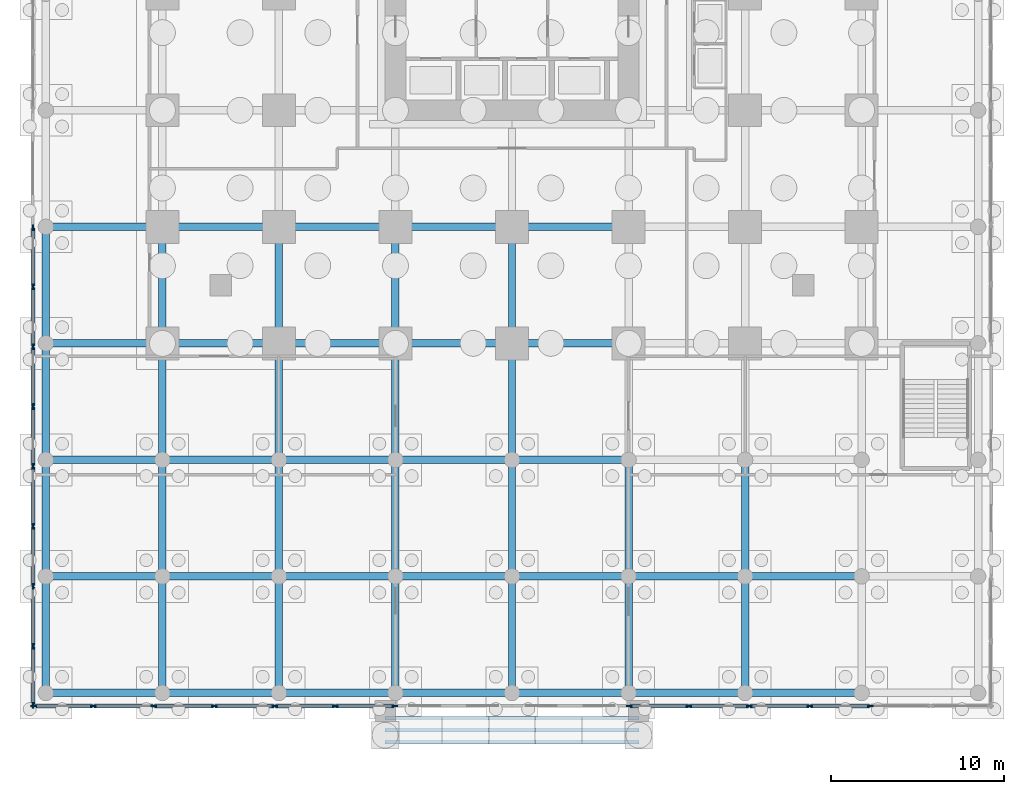
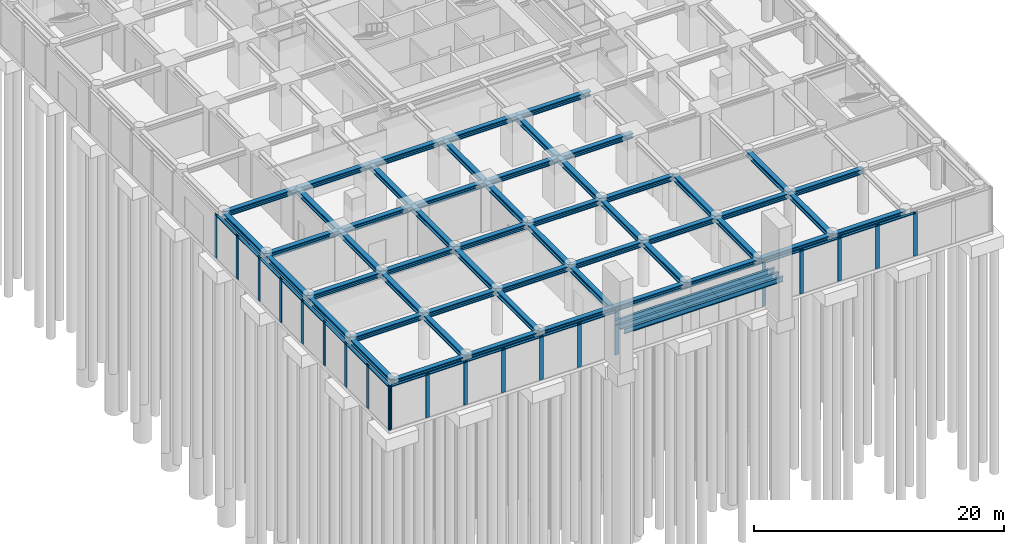
# One storey, part 3 of 14: 56 beams, 39 members, 3 elements without a shape of their own.
"""IFC4 building model written with IfcOpenShell, lengths in metres."""

from ifc_helpers import new_model, si_unit, direction, frame, origin, origin_2d, place, context, subcontext, project, spatial, rectangle, i_section, extrude, material, material_profile, profile_set, type_object, element, aggregate, save


model = new_model("IFC4")

# Units and contexts
model_context = context("Model", 3, precision=1e-05, world=origin(), true_north=direction((0.0, 1.0)))
body_context = subcontext(model_context, "Body", "Model", "MODEL_VIEW")
ifc_project = project(units=[si_unit("LENGTHUNIT", "METRE"), si_unit("AREAUNIT", "SQUARE_METRE"), si_unit("VOLUMEUNIT", "CUBIC_METRE"), si_unit("PLANEANGLEUNIT", "RADIAN"), si_unit("MASSUNIT", "GRAM", prefix="KILO")], contexts=[model_context])

# Site, building, storey
site_placement = place(None, origin())
site = spatial("IfcSite", under=ifc_project, at=site_placement, CompositionType="ELEMENT")
building_placement = place(site_placement, origin())
building = spatial("IfcBuilding", under=site, at=building_placement, Name="Nyansa Garden Tower", CompositionType="ELEMENT")
storey_placement = place(building_placement, origin())
storey = spatial("IfcBuildingStorey", under=building, at=storey_placement, Name="L00", CompositionType="ELEMENT", Elevation=0.0)

# Beams
ifc_material_1 = material(Name="Steel S355, black powder coated", Category="steel")
ifc_material_profile_1 = material_profile(ifc_material_1, i_section(OverallWidth=0.199951171875, OverallDepth=0.5, WebThickness=0.01025390625, FlangeThickness=0.01611328125, FilletRadius=0.02099609375, at=origin_2d()), Name="IPE 500")
ifc_profile_set_1 = profile_set([ifc_material_profile_1], Name="Steel S355, black powder coated")
beam_type_1 = type_object("IfcBeamType", Name="Entrance canopy beam IPE 500", PredefinedType="BEAM", material=ifc_profile_set_1)
for number, where, z_axis, x_axis, name in (
    (1, (12.89990234375, -21.699951171875, 3.75), (1.0, 0.0, 0.0), (0.0, 1.0, 0.0), "Entrance canopy beam 1"),
    (2, (12.89990234375, -22.39990234375, 3.75), (1.0, 0.0, 0.0), (0.0, 1.0, 0.0), "Entrance canopy beam 2"),
    (3, (12.89990234375, -23.10009765625, 3.75), (1.0, 0.0, 0.0), (0.0, 1.0, 0.0), "Entrance canopy beam 3"),
):
    element("IfcBeam", number, at=place(storey_placement, frame(where, z_axis=z_axis, x_axis=x_axis)), inside=storey, type_object=beam_type_1, Name=name, PredefinedType="BEAM", context=body_context, shape_type="SweptSolid", body=[
        extrude(i_section(OverallWidth=0.199951171875, OverallDepth=0.5, WebThickness=0.01025390625, FlangeThickness=0.01611328125, FilletRadius=0.02099609375, at=origin_2d()), origin(), (0.0, 0.0, 1.0), 14.7001953125),
    ])

# Curtain wall, members
ifc_material_2 = material(Name="Black anodised aluminium, clear double glazing", Category="aluminium")
curtain_wall_type = type_object("IfcCurtainWallType", Name="Podium curtain wall PCW", PredefinedType="USERDEFINED", material=ifc_material_2)
curtain_wall_1_placement = place(storey_placement, origin())
curtain_wall_1 = element("IfcCurtainWall", 4, at=curtain_wall_1_placement, inside=storey, type_object=curtain_wall_type, Name="Podium curtain wall L00 W", ObjectType="STICK CURTAIN WALL", PredefinedType="USERDEFINED")
ifc_material_3 = material(Name="Black anodised aluminium", Category="aluminium")
ifc_material_profile_2 = material_profile(ifc_material_3, rectangle(XDim=0.080078125, YDim=0.35009765625, at=origin_2d()), Name="Mullion 350x80")
ifc_profile_set_2 = profile_set([ifc_material_profile_2], Name="Black anodised aluminium")
member_type_1 = type_object("IfcMemberType", Name="Mullion PCW 350x80", PredefinedType="MULLION", material=ifc_profile_set_2)
member_1_placement = place(storey_placement, frame((-7.5, 6.7099609375, 0.0), z_axis=(0.0, 0.0, 1.0), x_axis=(1.0, 0.0, 0.0)))
member_1 = element("IfcMember", 5, at=member_1_placement, type_object=member_type_1, Name="PCW mullion 1", PredefinedType="MULLION", context=body_context, shape_type="SweptSolid", body=[
    extrude(rectangle(XDim=0.080078125, YDim=0.35009765625, at=origin_2d()), origin(), (0.0, 0.0, 1.0), 4.25),
])
member_2_placement = place(storey_placement, frame((-7.5, 3.28125, 0.0), z_axis=(0.0, 0.0, 1.0), x_axis=(1.0, 0.0, 0.0)))
member_2 = element("IfcMember", 6, at=member_2_placement, type_object=member_type_1, Name="PCW mullion 2", PredefinedType="MULLION", context=body_context, shape_type="SweptSolid", body=[
    extrude(rectangle(XDim=0.080078125, YDim=0.35009765625, at=origin_2d()), origin(), (0.0, 0.0, 1.0), 4.25),
])
member_3_placement = place(storey_placement, frame((-7.5, -0.1875, 0.0), z_axis=(0.0, 0.0, 1.0), x_axis=(1.0, 0.0, 0.0)))
member_3 = element("IfcMember", 7, at=member_3_placement, type_object=member_type_1, Name="PCW mullion 3", PredefinedType="MULLION", context=body_context, shape_type="SweptSolid", body=[
    extrude(rectangle(XDim=0.080078125, YDim=0.35009765625, at=origin_2d()), origin(), (0.0, 0.0, 1.0), 4.25),
])
member_4_placement = place(storey_placement, frame((-7.5, -3.65625, 0.0), z_axis=(0.0, 0.0, 1.0), x_axis=(1.0, 0.0, 0.0)))
member_4 = element("IfcMember", 8, at=member_4_placement, type_object=member_type_1, Name="PCW mullion 4", PredefinedType="MULLION", context=body_context, shape_type="SweptSolid", body=[
    extrude(rectangle(XDim=0.080078125, YDim=0.35009765625, at=origin_2d()), origin(), (0.0, 0.0, 1.0), 4.25),
])
member_5_placement = place(storey_placement, frame((-7.5, -7.125, 0.0), z_axis=(0.0, 0.0, 1.0), x_axis=(1.0, 0.0, 0.0)))
member_5 = element("IfcMember", 9, at=member_5_placement, type_object=member_type_1, Name="PCW mullion 5", PredefinedType="MULLION", context=body_context, shape_type="SweptSolid", body=[
    extrude(rectangle(XDim=0.080078125, YDim=0.35009765625, at=origin_2d()), origin(), (0.0, 0.0, 1.0), 4.25),
])
member_6_placement = place(storey_placement, frame((-7.5, -10.59375, 0.0), z_axis=(0.0, 0.0, 1.0), x_axis=(1.0, 0.0, 0.0)))
member_6 = element("IfcMember", 10, at=member_6_placement, type_object=member_type_1, Name="PCW mullion 6", PredefinedType="MULLION", context=body_context, shape_type="SweptSolid", body=[
    extrude(rectangle(XDim=0.080078125, YDim=0.35009765625, at=origin_2d()), origin(), (0.0, 0.0, 1.0), 4.25),
])
member_7_placement = place(storey_placement, frame((-7.5, -14.0625, 0.0), z_axis=(0.0, 0.0, 1.0), x_axis=(1.0, 0.0, 0.0)))
member_7 = element("IfcMember", 11, at=member_7_placement, type_object=member_type_1, Name="PCW mullion 7", PredefinedType="MULLION", context=body_context, shape_type="SweptSolid", body=[
    extrude(rectangle(XDim=0.080078125, YDim=0.35009765625, at=origin_2d()), origin(), (0.0, 0.0, 1.0), 4.25),
])
member_8_placement = place(storey_placement, frame((-7.5, -17.53125, 0.0), z_axis=(0.0, 0.0, 1.0), x_axis=(1.0, 0.0, 0.0)))
member_8 = element("IfcMember", 12, at=member_8_placement, type_object=member_type_1, Name="PCW mullion 8", PredefinedType="MULLION", context=body_context, shape_type="SweptSolid", body=[
    extrude(rectangle(XDim=0.080078125, YDim=0.35009765625, at=origin_2d()), origin(), (0.0, 0.0, 1.0), 4.25),
])
member_9_placement = place(storey_placement, frame((-7.5, -20.9599609375, 0.0), z_axis=(0.0, 0.0, 1.0), x_axis=(1.0, 0.0, 0.0)))
member_9 = element("IfcMember", 13, at=member_9_placement, type_object=member_type_1, Name="PCW mullion 9", PredefinedType="MULLION", context=body_context, shape_type="SweptSolid", body=[
    extrude(rectangle(XDim=0.080078125, YDim=0.35009765625, at=origin_2d()), origin(), (0.0, 0.0, 1.0), 4.25),
])

curtain_wall_2_placement = place(storey_placement, origin())
curtain_wall_2 = element("IfcCurtainWall", 14, at=curtain_wall_2_placement, inside=storey, type_object=curtain_wall_type, Name="Podium curtain wall L00 S", ObjectType="STICK CURTAIN WALL", PredefinedType="USERDEFINED")
member_10_placement = place(storey_placement, frame((-7.4599609375, -21.0, 0.0), z_axis=(0.0, 0.0, 1.0), x_axis=(0.0, 1.0, 0.0)))
member_10 = element("IfcMember", 15, at=member_10_placement, type_object=member_type_1, Name="PCW mullion 1", PredefinedType="MULLION", context=body_context, shape_type="SweptSolid", body=[
    extrude(rectangle(XDim=0.080078125, YDim=0.35009765625, at=origin_2d()), origin(), (0.0, 0.0, 1.0), 4.25),
])
member_11_placement = place(storey_placement, frame((-4.0, -21.0, 0.0), z_axis=(0.0, 0.0, 1.0), x_axis=(0.0, 1.0, 0.0)))
member_11 = element("IfcMember", 16, at=member_11_placement, type_object=member_type_1, Name="PCW mullion 2", PredefinedType="MULLION", context=body_context, shape_type="SweptSolid", body=[
    extrude(rectangle(XDim=0.080078125, YDim=0.35009765625, at=origin_2d()), origin(), (0.0, 0.0, 1.0), 4.25),
])
member_12_placement = place(storey_placement, frame((-0.5, -21.0, 0.0), z_axis=(0.0, 0.0, 1.0), x_axis=(0.0, 1.0, 0.0)))
member_12 = element("IfcMember", 17, at=member_12_placement, type_object=member_type_1, Name="PCW mullion 3", PredefinedType="MULLION", context=body_context, shape_type="SweptSolid", body=[
    extrude(rectangle(XDim=0.080078125, YDim=0.35009765625, at=origin_2d()), origin(), (0.0, 0.0, 1.0), 4.25),
])
member_13_placement = place(storey_placement, frame((3.0, -21.0, 0.0), z_axis=(0.0, 0.0, 1.0), x_axis=(0.0, 1.0, 0.0)))
member_13 = element("IfcMember", 18, at=member_13_placement, type_object=member_type_1, Name="PCW mullion 4", PredefinedType="MULLION", context=body_context, shape_type="SweptSolid", body=[
    extrude(rectangle(XDim=0.080078125, YDim=0.35009765625, at=origin_2d()), origin(), (0.0, 0.0, 1.0), 4.25),
])
member_14_placement = place(storey_placement, frame((6.5, -21.0, 0.0), z_axis=(0.0, 0.0, 1.0), x_axis=(0.0, 1.0, 0.0)))
member_14 = element("IfcMember", 19, at=member_14_placement, type_object=member_type_1, Name="PCW mullion 5", PredefinedType="MULLION", context=body_context, shape_type="SweptSolid", body=[
    extrude(rectangle(XDim=0.080078125, YDim=0.35009765625, at=origin_2d()), origin(), (0.0, 0.0, 1.0), 4.25),
])
member_15_placement = place(storey_placement, frame((10.0, -21.0, 0.0), z_axis=(0.0, 0.0, 1.0), x_axis=(0.0, 1.0, 0.0)))
member_15 = element("IfcMember", 20, at=member_15_placement, type_object=member_type_1, Name="PCW mullion 6", PredefinedType="MULLION", context=body_context, shape_type="SweptSolid", body=[
    extrude(rectangle(XDim=0.080078125, YDim=0.35009765625, at=origin_2d()), origin(), (0.0, 0.0, 1.0), 4.25),
])
member_16_placement = place(storey_placement, frame((13.4599609375, -21.0, 0.0), z_axis=(0.0, 0.0, 1.0), x_axis=(0.0, 1.0, 0.0)))
member_16 = element("IfcMember", 21, at=member_16_placement, type_object=member_type_1, Name="PCW mullion 7", PredefinedType="MULLION", context=body_context, shape_type="SweptSolid", body=[
    extrude(rectangle(XDim=0.080078125, YDim=0.35009765625, at=origin_2d()), origin(), (0.0, 0.0, 1.0), 4.25),
])

curtain_wall_3_placement = place(storey_placement, origin())
curtain_wall_3 = element("IfcCurtainWall", 22, at=curtain_wall_3_placement, inside=storey, type_object=curtain_wall_type, Name="Podium curtain wall L00 S", ObjectType="STICK CURTAIN WALL", PredefinedType="USERDEFINED")
member_17_placement = place(storey_placement, frame((27.0400390625, -21.0, 0.0), z_axis=(0.0, 0.0, 1.0), x_axis=(0.0, 1.0, 0.0)))
member_17 = element("IfcMember", 23, at=member_17_placement, type_object=member_type_1, Name="PCW mullion 1", PredefinedType="MULLION", context=body_context, shape_type="SweptSolid", body=[
    extrude(rectangle(XDim=0.080078125, YDim=0.35009765625, at=origin_2d()), origin(), (0.0, 0.0, 1.0), 4.25),
])
member_18_placement = place(storey_placement, frame((30.5, -21.0, 0.0), z_axis=(0.0, 0.0, 1.0), x_axis=(0.0, 1.0, 0.0)))
member_18 = element("IfcMember", 24, at=member_18_placement, type_object=member_type_1, Name="PCW mullion 2", PredefinedType="MULLION", context=body_context, shape_type="SweptSolid", body=[
    extrude(rectangle(XDim=0.080078125, YDim=0.35009765625, at=origin_2d()), origin(), (0.0, 0.0, 1.0), 4.25),
])
member_19_placement = place(storey_placement, frame((34.0, -21.0, 0.0), z_axis=(0.0, 0.0, 1.0), x_axis=(0.0, 1.0, 0.0)))
member_19 = element("IfcMember", 25, at=member_19_placement, type_object=member_type_1, Name="PCW mullion 3", PredefinedType="MULLION", context=body_context, shape_type="SweptSolid", body=[
    extrude(rectangle(XDim=0.080078125, YDim=0.35009765625, at=origin_2d()), origin(), (0.0, 0.0, 1.0), 4.25),
])
member_20_placement = place(storey_placement, frame((37.5, -21.0, 0.0), z_axis=(0.0, 0.0, 1.0), x_axis=(0.0, 1.0, 0.0)))
member_20 = element("IfcMember", 26, at=member_20_placement, type_object=member_type_1, Name="PCW mullion 4", PredefinedType="MULLION", context=body_context, shape_type="SweptSolid", body=[
    extrude(rectangle(XDim=0.080078125, YDim=0.35009765625, at=origin_2d()), origin(), (0.0, 0.0, 1.0), 4.25),
])
member_21_placement = place(storey_placement, frame((41.0, -21.0, 0.0), z_axis=(0.0, 0.0, 1.0), x_axis=(0.0, 1.0, 0.0)))
member_21 = element("IfcMember", 27, at=member_21_placement, type_object=member_type_1, Name="PCW mullion 5", PredefinedType="MULLION", context=body_context, shape_type="SweptSolid", body=[
    extrude(rectangle(XDim=0.080078125, YDim=0.35009765625, at=origin_2d()), origin(), (0.0, 0.0, 1.0), 4.25),
])

# Beams
ifc_material_4 = material(Name="Steel S355", Category="steel")
ifc_material_profile_3 = material_profile(ifc_material_4, i_section(OverallWidth=0.431884765625, OverallDepth=0.498046875, WebThickness=0.0556640625, FlangeThickness=0.0888671875, FilletRadius=0.014892578125, at=origin_2d()), Name="HD 400x744")
ifc_profile_set_3 = profile_set([ifc_material_profile_3], Name="Steel S355")
beam_type_2 = type_object("IfcBeamType", Name="Steel beam SBP1-744 HD 400x744", PredefinedType="BEAM", material=ifc_profile_set_3)
for number, where, z_axis, x_axis, name in (
    (28, (-6.75, -13.5, 4.0009765625), (1.0, 0.0, 0.0), (0.0, 1.0, 0.0), "Steel beam 1/B-2/B L01"),
    (29, (-6.75, -6.75, 4.0009765625), (1.0, 0.0, 0.0), (0.0, 1.0, 0.0), "Steel beam 1/C-2/C L01"),
    (30, (-6.75, 0.0, 4.0009765625), (1.0, 0.0, 0.0), (0.0, 1.0, 0.0), "Steel beam 1/D-2/D L01"),
    (31, (-6.75, 6.75, 4.0009765625), (1.0, 0.0, 0.0), (0.0, 1.0, 0.0), "Steel beam 1/E-2/E L01"),
    (32, (0.0, -20.25, 4.0009765625), (0.0, 1.0, 0.0), (-1.0, 0.0, 0.0), "Steel beam 2/A-2/B L01"),
    (33, (0.0, -13.5, 4.0009765625), (0.0, 1.0, 0.0), (-1.0, 0.0, 0.0), "Steel beam 2/B-2/C L01"),
    (34, (0.0, -13.5, 4.0009765625), (1.0, 0.0, 0.0), (0.0, 1.0, 0.0), "Steel beam 2/B-3/B L01"),
    (35, (0.0, -6.75, 4.0009765625), (0.0, 1.0, 0.0), (-1.0, 0.0, 0.0), "Steel beam 2/C-2/D L01"),
    (36, (0.0, -6.75, 4.0009765625), (1.0, 0.0, 0.0), (0.0, 1.0, 0.0), "Steel beam 2/C-3/C L01"),
    (37, (0.0, 0.0, 4.0009765625), (0.0, 1.0, 0.0), (-1.0, 0.0, 0.0), "Steel beam 2/D-2/E L01"),
    (38, (0.0, 0.0, 4.0009765625), (1.0, 0.0, 0.0), (0.0, 1.0, 0.0), "Steel beam 2/D-3/D L01"),
    (39, (0.0, 6.75, 4.0009765625), (1.0, 0.0, 0.0), (0.0, 1.0, 0.0), "Steel beam 2/E-3/E L01"),
    (40, (6.75, -20.25, 4.0009765625), (0.0, 1.0, 0.0), (-1.0, 0.0, 0.0), "Steel beam 3/A-3/B L01"),
    (41, (6.75, -13.5, 4.0009765625), (0.0, 1.0, 0.0), (-1.0, 0.0, 0.0), "Steel beam 3/B-3/C L01"),
    (42, (6.75, -13.5, 4.0009765625), (1.0, 0.0, 0.0), (0.0, 1.0, 0.0), "Steel beam 3/B-4/B L01"),
    (43, (6.75, -6.75, 4.0009765625), (0.0, 1.0, 0.0), (-1.0, 0.0, 0.0), "Steel beam 3/C-3/D L01"),
    (44, (6.75, -6.75, 4.0009765625), (1.0, 0.0, 0.0), (0.0, 1.0, 0.0), "Steel beam 3/C-4/C L01"),
    (45, (6.75, 0.0, 4.0009765625), (0.0, 1.0, 0.0), (-1.0, 0.0, 0.0), "Steel beam 3/D-3/E L01"),
    (46, (6.75, 0.0, 4.0009765625), (1.0, 0.0, 0.0), (0.0, 1.0, 0.0), "Steel beam 3/D-4/D L01"),
    (47, (6.75, 6.75, 4.0009765625), (1.0, 0.0, 0.0), (0.0, 1.0, 0.0), "Steel beam 3/E-4/E L01"),
    (48, (13.5, -20.25, 4.0009765625), (0.0, 1.0, 0.0), (-1.0, 0.0, 0.0), "Steel beam 4/A-4/B L01"),
    (49, (13.5, -13.5, 4.0009765625), (0.0, 1.0, 0.0), (-1.0, 0.0, 0.0), "Steel beam 4/B-4/C L01"),
    (50, (13.5, -13.5, 4.0009765625), (1.0, 0.0, 0.0), (0.0, 1.0, 0.0), "Steel beam 4/B-5/B L01"),
    (51, (13.5, -6.75, 4.0009765625), (0.0, 1.0, 0.0), (-1.0, 0.0, 0.0), "Steel beam 4/C-4/D L01"),
    (52, (13.5, -6.75, 4.0009765625), (1.0, 0.0, 0.0), (0.0, 1.0, 0.0), "Steel beam 4/C-5/C L01"),
    (53, (13.5, 0.0, 4.0009765625), (0.0, 1.0, 0.0), (-1.0, 0.0, 0.0), "Steel beam 4/D-4/E L01"),
    (54, (13.5, 0.0, 4.0009765625), (1.0, 0.0, 0.0), (0.0, 1.0, 0.0), "Steel beam 4/D-5/D L01"),
    (55, (13.5, 6.75, 4.0009765625), (1.0, 0.0, 0.0), (0.0, 1.0, 0.0), "Steel beam 4/E-5/E L01"),
    (56, (20.25, -20.25, 4.0009765625), (0.0, 1.0, 0.0), (-1.0, 0.0, 0.0), "Steel beam 5/A-5/B L01"),
    (57, (20.25, -13.5, 4.0009765625), (0.0, 1.0, 0.0), (-1.0, 0.0, 0.0), "Steel beam 5/B-5/C L01"),
    (58, (20.25, -13.5, 4.0009765625), (1.0, 0.0, 0.0), (0.0, 1.0, 0.0), "Steel beam 5/B-6/B L01"),
    (59, (20.25, -6.75, 4.0009765625), (0.0, 1.0, 0.0), (-1.0, 0.0, 0.0), "Steel beam 5/C-5/D L01"),
    (60, (20.25, -6.75, 4.0009765625), (1.0, 0.0, 0.0), (0.0, 1.0, 0.0), "Steel beam 5/C-6/C L01"),
    (61, (20.25, 0.0, 4.0009765625), (0.0, 1.0, 0.0), (-1.0, 0.0, 0.0), "Steel beam 5/D-5/E L01"),
    (62, (20.25, 0.0, 4.0009765625), (1.0, 0.0, 0.0), (0.0, 1.0, 0.0), "Steel beam 5/D-6/D L01"),
    (63, (20.25, 6.75, 4.0009765625), (1.0, 0.0, 0.0), (0.0, 1.0, 0.0), "Steel beam 5/E-6/E L01"),
    (64, (27.0, -20.25, 4.0009765625), (0.0, 1.0, 0.0), (-1.0, 0.0, 0.0), "Steel beam 6/A-6/B L01"),
    (65, (27.0, -13.5, 4.0009765625), (0.0, 1.0, 0.0), (-1.0, 0.0, 0.0), "Steel beam 6/B-6/C L01"),
    (66, (27.0, -13.5, 4.0009765625), (1.0, 0.0, 0.0), (0.0, 1.0, 0.0), "Steel beam 6/B-7/B L01"),
    (67, (33.75, -20.25, 4.0009765625), (0.0, 1.0, 0.0), (-1.0, 0.0, 0.0), "Steel beam 7/A-7/B L01"),
    (68, (33.75, -13.5, 4.0009765625), (0.0, 1.0, 0.0), (-1.0, 0.0, 0.0), "Steel beam 7/B-7/C L01"),
    (69, (33.75, -13.5, 4.0009765625), (1.0, 0.0, 0.0), (0.0, 1.0, 0.0), "Steel beam 7/B-8/B L01"),
):
    element("IfcBeam", number, at=place(storey_placement, frame(where, z_axis=z_axis, x_axis=x_axis)), inside=storey, type_object=beam_type_2, Name=name, PredefinedType="BEAM", context=body_context, shape_type="SweptSolid", body=[
        extrude(i_section(OverallWidth=0.431884765625, OverallDepth=0.498046875, WebThickness=0.0556640625, FlangeThickness=0.0888671875, FilletRadius=0.014892578125, at=origin_2d()), origin(), (0.0, 0.0, 1.0), 6.75),
    ])
ifc_material_5 = material(Name="Steel S355", Category="steel")
ifc_material_profile_4 = material_profile(ifc_material_5, i_section(OverallWidth=0.431884765625, OverallDepth=0.498046875, WebThickness=0.0556640625, FlangeThickness=0.0888671875, FilletRadius=0.014892578125, at=origin_2d()), Name="HD 400x744")
ifc_profile_set_4 = profile_set([ifc_material_profile_4], Name="Steel S355")
beam_type_3 = type_object("IfcBeamType", Name="Steel beam SEBP-744 HD 400x744", PredefinedType="BEAM", material=ifc_profile_set_4)
for number, where, z_axis, x_axis, name in (
    (70, (-6.75, -20.25, 4.0009765625), (0.0, 1.0, 0.0), (-1.0, 0.0, 0.0), "Steel edge beam 1/A-1/B L01"),
    (71, (-6.75, -20.25, 4.0009765625), (1.0, 0.0, 0.0), (0.0, 1.0, 0.0), "Steel edge beam 1/A-2/A L01"),
    (72, (-6.75, -13.5, 4.0009765625), (0.0, 1.0, 0.0), (-1.0, 0.0, 0.0), "Steel edge beam 1/B-1/C L01"),
    (73, (-6.75, -6.75, 4.0009765625), (0.0, 1.0, 0.0), (-1.0, 0.0, 0.0), "Steel edge beam 1/C-1/D L01"),
    (74, (-6.75, 0.0, 4.0009765625), (0.0, 1.0, 0.0), (-1.0, 0.0, 0.0), "Steel edge beam 1/D-1/E L01"),
    (75, (0.0, -20.25, 4.0009765625), (1.0, 0.0, 0.0), (0.0, 1.0, 0.0), "Steel edge beam 2/A-3/A L01"),
    (76, (6.75, -20.25, 4.0009765625), (1.0, 0.0, 0.0), (0.0, 1.0, 0.0), "Steel edge beam 3/A-4/A L01"),
    (77, (13.5, -20.25, 4.0009765625), (1.0, 0.0, 0.0), (0.0, 1.0, 0.0), "Steel edge beam 4/A-5/A L01"),
    (78, (20.25, -20.25, 4.0009765625), (1.0, 0.0, 0.0), (0.0, 1.0, 0.0), "Steel edge beam 5/A-6/A L01"),
    (79, (27.0, -20.25, 4.0009765625), (1.0, 0.0, 0.0), (0.0, 1.0, 0.0), "Steel edge beam 6/A-7/A L01"),
    (80, (33.75, -20.25, 4.0009765625), (1.0, 0.0, 0.0), (0.0, 1.0, 0.0), "Steel edge beam 7/A-8/A L01"),
):
    element("IfcBeam", number, at=place(storey_placement, frame(where, z_axis=z_axis, x_axis=x_axis)), inside=storey, type_object=beam_type_3, Name=name, PredefinedType="BEAM", context=body_context, shape_type="SweptSolid", body=[
        extrude(i_section(OverallWidth=0.431884765625, OverallDepth=0.498046875, WebThickness=0.0556640625, FlangeThickness=0.0888671875, FilletRadius=0.014892578125, at=origin_2d()), origin(), (0.0, 0.0, 1.0), 6.75),
    ])

# Member
ifc_material_6 = material(Name="Black anodised aluminium", Category="aluminium")
ifc_material_profile_5 = material_profile(ifc_material_6, rectangle(XDim=0.219970703125, YDim=0.080078125, at=origin_2d()), Name="Transom 220x80")
ifc_profile_set_5 = profile_set([ifc_material_profile_5], Name="Black anodised aluminium")
member_type_2 = type_object("IfcMemberType", Name="Transom PCW 220x80", PredefinedType="USERDEFINED", material=ifc_profile_set_5)
member_22_placement = place(storey_placement, frame((-7.5, 6.669921875, 4.2099609375), z_axis=(0.0, -1.0, 0.0), x_axis=(1.0, 0.0, 0.0)))
member_22 = element("IfcMember", 81, at=member_22_placement, type_object=member_type_2, Name="PCW transom 1", ObjectType="TRANSOM", PredefinedType="USERDEFINED", context=body_context, shape_type="SweptSolid", body=[
    extrude(rectangle(XDim=0.219970703125, YDim=0.080078125, at=origin_2d()), origin(), (0.0, 0.0, 1.0), 3.3486328125),
])

member_23_placement = place(storey_placement, frame((-7.5, 3.2412109375, 4.2099609375), z_axis=(0.0, -1.0, 0.0), x_axis=(1.0, 0.0, 0.0)))
member_23 = element("IfcMember", 82, at=member_23_placement, type_object=member_type_2, Name="PCW transom 2", ObjectType="TRANSOM", PredefinedType="USERDEFINED", context=body_context, shape_type="SweptSolid", body=[
    extrude(rectangle(XDim=0.219970703125, YDim=0.080078125, at=origin_2d()), origin(), (0.0, 0.0, 1.0), 3.388671875),
])

member_24_placement = place(storey_placement, frame((-7.5, -0.2275390625, 4.2099609375), z_axis=(0.0, -1.0, 0.0), x_axis=(1.0, 0.0, 0.0)))
member_24 = element("IfcMember", 83, at=member_24_placement, type_object=member_type_2, Name="PCW transom 3", ObjectType="TRANSOM", PredefinedType="USERDEFINED", context=body_context, shape_type="SweptSolid", body=[
    extrude(rectangle(XDim=0.219970703125, YDim=0.080078125, at=origin_2d()), origin(), (0.0, 0.0, 1.0), 3.388671875),
])

member_25_placement = place(storey_placement, frame((-7.5, -3.6962890625, 4.2099609375), z_axis=(0.0, -1.0, 0.0), x_axis=(1.0, 0.0, 0.0)))
member_25 = element("IfcMember", 84, at=member_25_placement, type_object=member_type_2, Name="PCW transom 4", ObjectType="TRANSOM", PredefinedType="USERDEFINED", context=body_context, shape_type="SweptSolid", body=[
    extrude(rectangle(XDim=0.219970703125, YDim=0.080078125, at=origin_2d()), origin(), (0.0, 0.0, 1.0), 3.388671875),
])

member_26_placement = place(storey_placement, frame((-7.5, -7.1650390625, 4.2099609375), z_axis=(0.0, -1.0, 0.0), x_axis=(1.0, 0.0, 0.0)))
member_26 = element("IfcMember", 85, at=member_26_placement, type_object=member_type_2, Name="PCW transom 5", ObjectType="TRANSOM", PredefinedType="USERDEFINED", context=body_context, shape_type="SweptSolid", body=[
    extrude(rectangle(XDim=0.219970703125, YDim=0.080078125, at=origin_2d()), origin(), (0.0, 0.0, 1.0), 3.388671875),
])

member_27_placement = place(storey_placement, frame((-7.5, -10.6337890625, 4.2099609375), z_axis=(0.0, -1.0, 0.0), x_axis=(1.0, 0.0, 0.0)))
member_27 = element("IfcMember", 86, at=member_27_placement, type_object=member_type_2, Name="PCW transom 6", ObjectType="TRANSOM", PredefinedType="USERDEFINED", context=body_context, shape_type="SweptSolid", body=[
    extrude(rectangle(XDim=0.219970703125, YDim=0.080078125, at=origin_2d()), origin(), (0.0, 0.0, 1.0), 3.388671875),
])

member_28_placement = place(storey_placement, frame((-7.5, -14.1025390625, 4.2099609375), z_axis=(0.0, -1.0, 0.0), x_axis=(1.0, 0.0, 0.0)))
member_28 = element("IfcMember", 87, at=member_28_placement, type_object=member_type_2, Name="PCW transom 7", ObjectType="TRANSOM", PredefinedType="USERDEFINED", context=body_context, shape_type="SweptSolid", body=[
    extrude(rectangle(XDim=0.219970703125, YDim=0.080078125, at=origin_2d()), origin(), (0.0, 0.0, 1.0), 3.388671875),
])

member_29_placement = place(storey_placement, frame((-7.5, -17.5712890625, 4.2099609375), z_axis=(0.0, -1.0, 0.0), x_axis=(1.0, 0.0, 0.0)))
member_29 = element("IfcMember", 88, at=member_29_placement, type_object=member_type_2, Name="PCW transom 8", ObjectType="TRANSOM", PredefinedType="USERDEFINED", context=body_context, shape_type="SweptSolid", body=[
    extrude(rectangle(XDim=0.219970703125, YDim=0.080078125, at=origin_2d()), origin(), (0.0, 0.0, 1.0), 3.3486328125),
])

aggregate(curtain_wall_1, [member_1, member_2, member_3, member_4, member_5, member_6, member_7, member_8, member_9, member_22, member_23, member_24, member_25, member_26, member_27, member_28, member_29])

member_30_placement = place(storey_placement, frame((-7.419921875, -21.0, 4.2099609375), z_axis=(1.0, 0.0, 0.0), x_axis=(0.0, 1.0, 0.0)))
member_30 = element("IfcMember", 89, at=member_30_placement, type_object=member_type_2, Name="PCW transom 1", ObjectType="TRANSOM", PredefinedType="USERDEFINED", context=body_context, shape_type="SweptSolid", body=[
    extrude(rectangle(XDim=0.219970703125, YDim=0.080078125, at=origin_2d()), origin(), (0.0, 0.0, 1.0), 3.3798828125),
])

member_31_placement = place(storey_placement, frame((-3.9599609375, -21.0, 4.2099609375), z_axis=(1.0, 0.0, 0.0), x_axis=(0.0, 1.0, 0.0)))
member_31 = element("IfcMember", 90, at=member_31_placement, type_object=member_type_2, Name="PCW transom 2", ObjectType="TRANSOM", PredefinedType="USERDEFINED", context=body_context, shape_type="SweptSolid", body=[
    extrude(rectangle(XDim=0.219970703125, YDim=0.080078125, at=origin_2d()), origin(), (0.0, 0.0, 1.0), 3.419921875),
])

member_32_placement = place(storey_placement, frame((-0.4599609375, -21.0, 4.2099609375), z_axis=(1.0, 0.0, 0.0), x_axis=(0.0, 1.0, 0.0)))
member_32 = element("IfcMember", 91, at=member_32_placement, type_object=member_type_2, Name="PCW transom 3", ObjectType="TRANSOM", PredefinedType="USERDEFINED", context=body_context, shape_type="SweptSolid", body=[
    extrude(rectangle(XDim=0.219970703125, YDim=0.080078125, at=origin_2d()), origin(), (0.0, 0.0, 1.0), 3.419921875),
])

member_33_placement = place(storey_placement, frame((3.0400390625, -21.0, 4.2099609375), z_axis=(1.0, 0.0, 0.0), x_axis=(0.0, 1.0, 0.0)))
member_33 = element("IfcMember", 92, at=member_33_placement, type_object=member_type_2, Name="PCW transom 4", ObjectType="TRANSOM", PredefinedType="USERDEFINED", context=body_context, shape_type="SweptSolid", body=[
    extrude(rectangle(XDim=0.219970703125, YDim=0.080078125, at=origin_2d()), origin(), (0.0, 0.0, 1.0), 3.419921875),
])

member_34_placement = place(storey_placement, frame((6.5400390625, -21.0, 4.2099609375), z_axis=(1.0, 0.0, 0.0), x_axis=(0.0, 1.0, 0.0)))
member_34 = element("IfcMember", 93, at=member_34_placement, type_object=member_type_2, Name="PCW transom 5", ObjectType="TRANSOM", PredefinedType="USERDEFINED", context=body_context, shape_type="SweptSolid", body=[
    extrude(rectangle(XDim=0.219970703125, YDim=0.080078125, at=origin_2d()), origin(), (0.0, 0.0, 1.0), 3.419921875),
])

member_35_placement = place(storey_placement, frame((10.0400390625, -21.0, 4.2099609375), z_axis=(1.0, 0.0, 0.0), x_axis=(0.0, 1.0, 0.0)))
member_35 = element("IfcMember", 94, at=member_35_placement, type_object=member_type_2, Name="PCW transom 6", ObjectType="TRANSOM", PredefinedType="USERDEFINED", context=body_context, shape_type="SweptSolid", body=[
    extrude(rectangle(XDim=0.219970703125, YDim=0.080078125, at=origin_2d()), origin(), (0.0, 0.0, 1.0), 3.3798828125),
])

aggregate(curtain_wall_2, [member_10, member_11, member_12, member_13, member_14, member_15, member_16, member_30, member_31, member_32, member_33, member_34, member_35])

member_36_placement = place(storey_placement, frame((27.080078125, -21.0, 4.2099609375), z_axis=(1.0, 0.0, 0.0), x_axis=(0.0, 1.0, 0.0)))
member_36 = element("IfcMember", 95, at=member_36_placement, type_object=member_type_2, Name="PCW transom 1", ObjectType="TRANSOM", PredefinedType="USERDEFINED", context=body_context, shape_type="SweptSolid", body=[
    extrude(rectangle(XDim=0.219970703125, YDim=0.080078125, at=origin_2d()), origin(), (0.0, 0.0, 1.0), 3.3798828125),
])

member_37_placement = place(storey_placement, frame((30.5400390625, -21.0, 4.2099609375), z_axis=(1.0, 0.0, 0.0), x_axis=(0.0, 1.0, 0.0)))
member_37 = element("IfcMember", 96, at=member_37_placement, type_object=member_type_2, Name="PCW transom 2", ObjectType="TRANSOM", PredefinedType="USERDEFINED", context=body_context, shape_type="SweptSolid", body=[
    extrude(rectangle(XDim=0.219970703125, YDim=0.080078125, at=origin_2d()), origin(), (0.0, 0.0, 1.0), 3.419921875),
])

member_38_placement = place(storey_placement, frame((34.0400390625, -21.0, 4.2099609375), z_axis=(1.0, 0.0, 0.0), x_axis=(0.0, 1.0, 0.0)))
member_38 = element("IfcMember", 97, at=member_38_placement, type_object=member_type_2, Name="PCW transom 3", ObjectType="TRANSOM", PredefinedType="USERDEFINED", context=body_context, shape_type="SweptSolid", body=[
    extrude(rectangle(XDim=0.219970703125, YDim=0.080078125, at=origin_2d()), origin(), (0.0, 0.0, 1.0), 3.419921875),
])

member_39_placement = place(storey_placement, frame((37.5400390625, -21.0, 4.2099609375), z_axis=(1.0, 0.0, 0.0), x_axis=(0.0, 1.0, 0.0)))
member_39 = element("IfcMember", 98, at=member_39_placement, type_object=member_type_2, Name="PCW transom 4", ObjectType="TRANSOM", PredefinedType="USERDEFINED", context=body_context, shape_type="SweptSolid", body=[
    extrude(rectangle(XDim=0.219970703125, YDim=0.080078125, at=origin_2d()), origin(), (0.0, 0.0, 1.0), 3.419921875),
])

aggregate(curtain_wall_3, [member_17, member_18, member_19, member_20, member_21, member_36, member_37, member_38, member_39])

save(model, "model.ifc")
